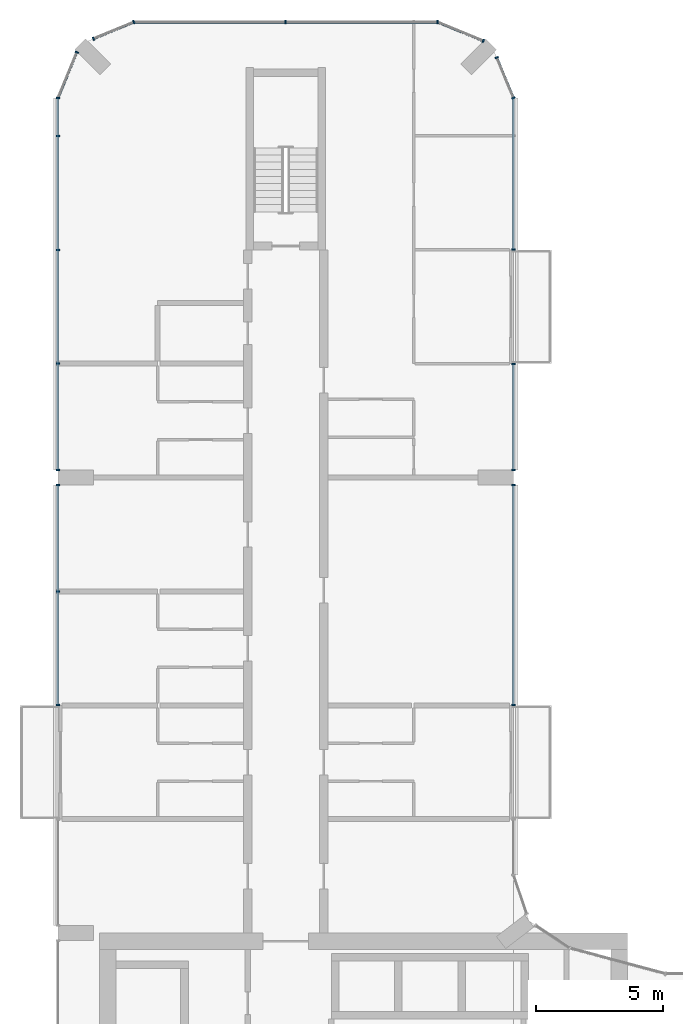
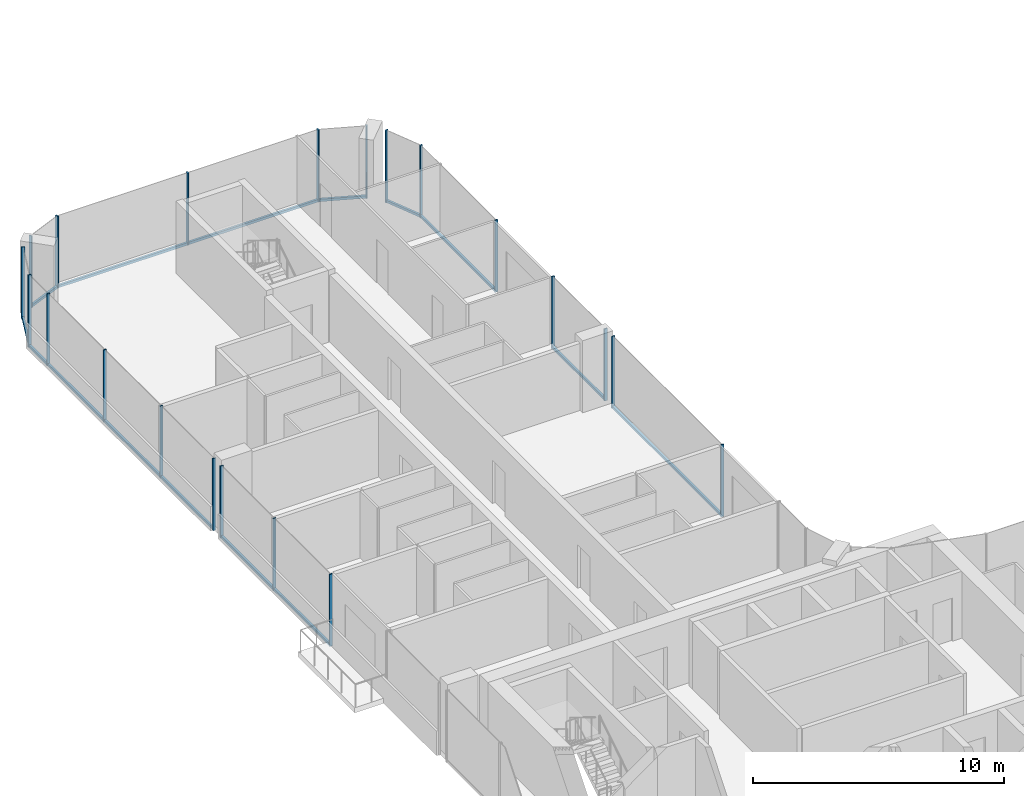
# One storey, part 6 of 22: 31 members, 10 elements without a shape of their own.
"""IFC4 building model written with IfcOpenShell, lengths in metres."""

from ifc_helpers import new_model, si_unit, direction, frame, origin, origin_2d, place, context, subcontext, project, spatial, rectangle, extrude, material, layer, layer_set, material_profile, profile_set, type_object, element, aggregate, save


model = new_model("IFC4")

# Units and contexts
model_context = context("Model", 3, precision=1e-05, world=origin(), true_north=direction((0.0, 1.0)))
body_context = subcontext(model_context, "Body", "Model", "MODEL_VIEW")
ifc_project = project(units=[si_unit("LENGTHUNIT", "METRE"), si_unit("AREAUNIT", "SQUARE_METRE"), si_unit("VOLUMEUNIT", "CUBIC_METRE"), si_unit("PLANEANGLEUNIT", "RADIAN"), si_unit("MASSUNIT", "GRAM", prefix="KILO")], contexts=[model_context])

# Site, building, storey
site_placement = place(None, origin())
site = spatial("IfcSite", under=ifc_project, at=site_placement, CompositionType="ELEMENT")
building_placement = place(site_placement, origin())
building = spatial("IfcBuilding", under=site, at=building_placement, Name="Plateau Cross Towers", CompositionType="ELEMENT")
storey_placement = place(building_placement, frame((0.0, 0.0, 99.300048828125)))
storey = spatial("IfcBuildingStorey", under=building, at=storey_placement, Name="L25", CompositionType="ELEMENT", Elevation=99.300048828125)

# Curtain wall, members
ifc_material_1 = material(Name="Dark low-iron glass", Category="glass")
ifc_layer = layer(ifc_material_1, 0.239990234375)
ifc_layer_set = layer_set([ifc_layer], Name="Dark low-iron glass")
curtain_wall_type = type_object("IfcCurtainWallType", Name="Curtain wall flush unitised CW-B", PredefinedType="NOTDEFINED", material=ifc_layer_set)
curtain_wall_1_placement = place(storey_placement, origin())
curtain_wall_1 = element("IfcCurtainWall", 1, at=curtain_wall_1_placement, inside=storey, type_object=curtain_wall_type, Name="ENV/A/L25/A180_270", PredefinedType="NOTDEFINED")
ifc_material_2 = material(Name="Black anodised aluminium", Category="aluminium")
ifc_material_profile_1 = material_profile(ifc_material_2, rectangle(XDim=0.06005859375, YDim=0.139892578125, at=origin_2d()), Name="MULLION 60x140")
ifc_profile_set_1 = profile_set([ifc_material_profile_1], Name="Black anodised aluminium")
member_type_1 = type_object("IfcMemberType", Name="Mullion 60x140 flush unitised", PredefinedType="MULLION", material=ifc_profile_set_1)
member_1_placement = place(storey_placement, frame((18.0, 27.010009765625, -0.25), z_axis=(0.0, 0.0, 1.0), x_axis=(0.0, 1.0, 0.0)))
member_1 = element("IfcMember", 2, at=member_1_placement, type_object=member_type_1, Name="CW-B mullion 1", PredefinedType="MULLION", context=body_context, shape_type="SweptSolid", body=[
    extrude(rectangle(XDim=0.06005859375, YDim=0.139892578125, at=origin_2d()), origin(), (0.0, 0.0, 1.0), 3.5),
])
member_2_placement = place(storey_placement, frame((18.0, 35.699951171875, -0.25), z_axis=(0.0, 0.0, 1.0), x_axis=(0.0, 1.0, 0.0)))
member_2 = element("IfcMember", 3, at=member_2_placement, type_object=member_type_1, Name="CW-B mullion 2", PredefinedType="MULLION", context=body_context, shape_type="SweptSolid", body=[
    extrude(rectangle(XDim=0.06005859375, YDim=0.139892578125, at=origin_2d()), origin(), (0.0, 0.0, 1.0), 3.5),
])

curtain_wall_2_placement = place(storey_placement, origin())
curtain_wall_2 = element("IfcCurtainWall", 4, at=curtain_wall_2_placement, inside=storey, type_object=curtain_wall_type, Name="ENV/A/L25/A180_363", PredefinedType="NOTDEFINED")
member_3_placement = place(storey_placement, frame((18.0, 36.300048828125, -0.25), z_axis=(0.0, 0.0, 1.0), x_axis=(0.0, 1.0, 0.0)))
member_3 = element("IfcMember", 5, at=member_3_placement, type_object=member_type_1, Name="CW-B mullion 1", PredefinedType="MULLION", context=body_context, shape_type="SweptSolid", body=[
    extrude(rectangle(XDim=0.06005859375, YDim=0.139892578125, at=origin_2d()), origin(), (0.0, 0.0, 1.0), 3.5),
])
member_4_placement = place(storey_placement, frame((18.0, 40.489990234375, -0.25), z_axis=(0.0, 0.0, 1.0), x_axis=(0.0, 1.0, 0.0)))
member_4 = element("IfcMember", 6, at=member_4_placement, type_object=member_type_1, Name="CW-B mullion 2", PredefinedType="MULLION", context=body_context, shape_type="SweptSolid", body=[
    extrude(rectangle(XDim=0.06005859375, YDim=0.139892578125, at=origin_2d()), origin(), (0.0, 0.0, 1.0), 3.5),
])

# Curtain wall, member
curtain_wall_3_placement = place(storey_placement, origin())
curtain_wall_3 = element("IfcCurtainWall", 7, at=curtain_wall_3_placement, inside=storey, type_object=curtain_wall_type, Name="ENV/A/L25/A180_450", PredefinedType="NOTDEFINED")
member_5_placement = place(storey_placement, frame((18.0, 45.010009765625, -0.25), z_axis=(0.0, 0.0, 1.0), x_axis=(0.0, 1.0, 0.0)))
member_5 = element("IfcMember", 8, at=member_5_placement, type_object=member_type_1, Name="CW-B mullion 1", PredefinedType="MULLION", context=body_context, shape_type="SweptSolid", body=[
    extrude(rectangle(XDim=0.06005859375, YDim=0.139892578125, at=origin_2d()), origin(), (0.0, 0.0, 1.0), 3.5),
])

# Curtain wall, members
curtain_wall_4_placement = place(storey_placement, origin())
curtain_wall_4 = element("IfcCurtainWall", 9, at=curtain_wall_4_placement, inside=storey, type_object=curtain_wall_type, Name="ENV/A/L25/A180_510", PredefinedType="NOTDEFINED")
member_6_placement = place(storey_placement, frame((18.0, 51.0, -0.25), z_axis=(0.0, 0.0, 1.0), x_axis=(-0.382683612978, 0.923879457699, 0.0)))
member_6 = element("IfcMember", 10, at=member_6_placement, type_object=member_type_1, Name="CW-B mullion 1", PredefinedType="MULLION", context=body_context, shape_type="SweptSolid", body=[
    extrude(rectangle(XDim=0.06005859375, YDim=0.139892578125, at=origin_2d()), origin(), (0.0, 0.0, 1.0), 3.5),
])
member_7_placement = place(storey_placement, frame((17.338623046875, 52.5966796875, -0.25), z_axis=(0.0, 0.0, 1.0), x_axis=(-0.382683612978, 0.923879457699, 0.0)))
member_7 = element("IfcMember", 11, at=member_7_placement, type_object=member_type_1, Name="CW-B mullion 2", PredefinedType="MULLION", context=body_context, shape_type="SweptSolid", body=[
    extrude(rectangle(XDim=0.06005859375, YDim=0.139892578125, at=origin_2d()), origin(), (0.0, 0.0, 1.0), 3.5),
])

# Curtain wall, member
curtain_wall_5_placement = place(storey_placement, origin())
curtain_wall_5 = element("IfcCurtainWall", 12, at=curtain_wall_5_placement, inside=storey, type_object=curtain_wall_type, Name="ENV/A/L25/A168_533", PredefinedType="NOTDEFINED")
member_8_placement = place(storey_placement, frame((16.805908203125, 53.251953125, -0.25), z_axis=(0.0, 0.0, 1.0), x_axis=(-0.923879457699, 0.382683612978, 0.0)))
member_8 = element("IfcMember", 13, at=member_8_placement, type_object=member_type_1, Name="CW-B mullion 1", PredefinedType="MULLION", context=body_context, shape_type="SweptSolid", body=[
    extrude(rectangle(XDim=0.06005859375, YDim=0.139892578125, at=origin_2d()), origin(), (0.0, 0.0, 1.0), 3.5),
])

# Curtain wall, members
curtain_wall_6_placement = place(storey_placement, origin())
curtain_wall_6 = element("IfcCurtainWall", 14, at=curtain_wall_6_placement, inside=storey, type_object=curtain_wall_type, Name="ENV/A/L25/A150_540", PredefinedType="NOTDEFINED")
member_9_placement = place(storey_placement, frame((15.0, 54.0, -0.25), z_axis=(0.0, 0.0, 1.0), x_axis=(-1.0, 0.0, 0.0)))
member_9 = element("IfcMember", 15, at=member_9_placement, type_object=member_type_1, Name="CW-B mullion 1", PredefinedType="MULLION", context=body_context, shape_type="SweptSolid", body=[
    extrude(rectangle(XDim=0.06005859375, YDim=0.139892578125, at=origin_2d()), origin(), (0.0, 0.0, 1.0), 3.5),
])
member_10_placement = place(storey_placement, frame((9.0, 54.0, -0.25), z_axis=(0.0, 0.0, 1.0), x_axis=(-1.0, 0.0, 0.0)))
member_10 = element("IfcMember", 16, at=member_10_placement, type_object=member_type_1, Name="CW-B mullion 2", PredefinedType="MULLION", context=body_context, shape_type="SweptSolid", body=[
    extrude(rectangle(XDim=0.06005859375, YDim=0.139892578125, at=origin_2d()), origin(), (0.0, 0.0, 1.0), 3.5),
])

curtain_wall_7_placement = place(storey_placement, origin())
curtain_wall_7 = element("IfcCurtainWall", 17, at=curtain_wall_7_placement, inside=storey, type_object=curtain_wall_type, Name="ENV/A/L25/A30_540", PredefinedType="NOTDEFINED")
member_11_placement = place(storey_placement, frame((3.0, 54.0, -0.25), z_axis=(0.0, 0.0, 1.0), x_axis=(-0.923879457699, -0.382683612978, 0.0)))
member_11 = element("IfcMember", 18, at=member_11_placement, type_object=member_type_1, Name="CW-B mullion 1", PredefinedType="MULLION", context=body_context, shape_type="SweptSolid", body=[
    extrude(rectangle(XDim=0.06005859375, YDim=0.139892578125, at=origin_2d()), origin(), (0.0, 0.0, 1.0), 3.5),
])
member_12_placement = place(storey_placement, frame((1.4033203125, 53.338623046875, -0.25), z_axis=(0.0, 0.0, 1.0), x_axis=(-0.923879457699, -0.382683612978, 0.0)))
member_12 = element("IfcMember", 19, at=member_12_placement, type_object=member_type_1, Name="CW-B mullion 2", PredefinedType="MULLION", context=body_context, shape_type="SweptSolid", body=[
    extrude(rectangle(XDim=0.06005859375, YDim=0.139892578125, at=origin_2d()), origin(), (0.0, 0.0, 1.0), 3.5),
])

# Curtain wall, member
curtain_wall_8_placement = place(storey_placement, origin())
curtain_wall_8 = element("IfcCurtainWall", 20, at=curtain_wall_8_placement, inside=storey, type_object=curtain_wall_type, Name="ENV/A/L25/A7_528", PredefinedType="NOTDEFINED")
member_13_placement = place(storey_placement, frame((0.748046875, 52.805908203125, -0.25), z_axis=(0.0, 0.0, 1.0), x_axis=(-0.382683612978, -0.923879457699, 0.0)))
member_13 = element("IfcMember", 21, at=member_13_placement, type_object=member_type_1, Name="CW-B mullion 1", PredefinedType="MULLION", context=body_context, shape_type="SweptSolid", body=[
    extrude(rectangle(XDim=0.06005859375, YDim=0.139892578125, at=origin_2d()), origin(), (0.0, 0.0, 1.0), 3.5),
])

# Curtain wall, members
curtain_wall_9_placement = place(storey_placement, origin())
curtain_wall_9 = element("IfcCurtainWall", 22, at=curtain_wall_9_placement, inside=storey, type_object=curtain_wall_type, Name="ENV/A/L25/A0_510", PredefinedType="NOTDEFINED")
member_14_placement = place(storey_placement, frame((0.0, 51.0, -0.25), z_axis=(0.0, 0.0, 1.0), x_axis=(0.0, -1.0, 0.0)))
member_14 = element("IfcMember", 23, at=member_14_placement, type_object=member_type_1, Name="CW-B mullion 1", PredefinedType="MULLION", context=body_context, shape_type="SweptSolid", body=[
    extrude(rectangle(XDim=0.06005859375, YDim=0.139892578125, at=origin_2d()), origin(), (0.0, 0.0, 1.0), 3.5),
])
member_15_placement = place(storey_placement, frame((0.0, 49.5, -0.25), z_axis=(0.0, 0.0, 1.0), x_axis=(0.0, -1.0, 0.0)))
member_15 = element("IfcMember", 24, at=member_15_placement, type_object=member_type_1, Name="CW-B mullion 2", PredefinedType="MULLION", context=body_context, shape_type="SweptSolid", body=[
    extrude(rectangle(XDim=0.06005859375, YDim=0.139892578125, at=origin_2d()), origin(), (0.0, 0.0, 1.0), 3.5),
])
member_16_placement = place(storey_placement, frame((0.0, 45.0, -0.25), z_axis=(0.0, 0.0, 1.0), x_axis=(0.0, -1.0, 0.0)))
member_16 = element("IfcMember", 25, at=member_16_placement, type_object=member_type_1, Name="CW-B mullion 3", PredefinedType="MULLION", context=body_context, shape_type="SweptSolid", body=[
    extrude(rectangle(XDim=0.06005859375, YDim=0.139892578125, at=origin_2d()), origin(), (0.0, 0.0, 1.0), 3.5),
])
member_17_placement = place(storey_placement, frame((0.0, 40.5, -0.25), z_axis=(0.0, 0.0, 1.0), x_axis=(0.0, -1.0, 0.0)))
member_17 = element("IfcMember", 26, at=member_17_placement, type_object=member_type_1, Name="CW-B mullion 4", PredefinedType="MULLION", context=body_context, shape_type="SweptSolid", body=[
    extrude(rectangle(XDim=0.06005859375, YDim=0.139892578125, at=origin_2d()), origin(), (0.0, 0.0, 1.0), 3.5),
])
member_18_placement = place(storey_placement, frame((0.0, 36.300048828125, -0.25), z_axis=(0.0, 0.0, 1.0), x_axis=(0.0, -1.0, 0.0)))
member_18 = element("IfcMember", 27, at=member_18_placement, type_object=member_type_1, Name="CW-B mullion 5", PredefinedType="MULLION", context=body_context, shape_type="SweptSolid", body=[
    extrude(rectangle(XDim=0.06005859375, YDim=0.139892578125, at=origin_2d()), origin(), (0.0, 0.0, 1.0), 3.5),
])

curtain_wall_10_placement = place(storey_placement, origin())
curtain_wall_10 = element("IfcCurtainWall", 28, at=curtain_wall_10_placement, inside=storey, type_object=curtain_wall_type, Name="ENV/A/L25/A0_357", PredefinedType="NOTDEFINED")
member_19_placement = place(storey_placement, frame((0.0, 35.699951171875, -0.25), z_axis=(0.0, 0.0, 1.0), x_axis=(0.0, -1.0, 0.0)))
member_19 = element("IfcMember", 29, at=member_19_placement, type_object=member_type_1, Name="CW-B mullion 1", PredefinedType="MULLION", context=body_context, shape_type="SweptSolid", body=[
    extrude(rectangle(XDim=0.06005859375, YDim=0.139892578125, at=origin_2d()), origin(), (0.0, 0.0, 1.0), 3.5),
])
member_20_placement = place(storey_placement, frame((0.0, 31.5, -0.25), z_axis=(0.0, 0.0, 1.0), x_axis=(0.0, -1.0, 0.0)))
member_20 = element("IfcMember", 30, at=member_20_placement, type_object=member_type_1, Name="CW-B mullion 2", PredefinedType="MULLION", context=body_context, shape_type="SweptSolid", body=[
    extrude(rectangle(XDim=0.06005859375, YDim=0.139892578125, at=origin_2d()), origin(), (0.0, 0.0, 1.0), 3.5),
])
member_21_placement = place(storey_placement, frame((0.0, 27.010009765625, -0.25), z_axis=(0.0, 0.0, 1.0), x_axis=(0.0, -1.0, 0.0)))
member_21 = element("IfcMember", 31, at=member_21_placement, type_object=member_type_1, Name="CW-B mullion 3", PredefinedType="MULLION", context=body_context, shape_type="SweptSolid", body=[
    extrude(rectangle(XDim=0.06005859375, YDim=0.139892578125, at=origin_2d()), origin(), (0.0, 0.0, 1.0), 3.5),
])

# Member
ifc_material_profile_2 = material_profile(ifc_material_2, rectangle(XDim=0.10009765625, YDim=0.1201171875, at=origin_2d()), Name="TRANSOM 100x120")
ifc_profile_set_2 = profile_set([ifc_material_profile_2], Name="Black anodised aluminium")
member_type_2 = type_object("IfcMemberType", Name="Transom 100x120 flush unitised", PredefinedType="USERDEFINED", material=ifc_profile_set_2)
member_22_placement = place(storey_placement, frame((18.0, 27.010009765625, -0.18994140625), z_axis=(0.0, 1.0, 0.0), x_axis=(-1.0, 0.0, 0.0)))
member_22 = element("IfcMember", 32, at=member_22_placement, type_object=member_type_2, Name="CW-B transom", ObjectType="TRANSOM", PredefinedType="USERDEFINED", context=body_context, shape_type="SweptSolid", body=[
    extrude(rectangle(XDim=0.10009765625, YDim=0.1201171875, at=origin_2d()), origin(), (0.0, 0.0, 1.0), 8.68994140625),
])

aggregate(curtain_wall_1, [member_1, member_2, member_22])

member_23_placement = place(storey_placement, frame((18.0, 36.300048828125, -0.18994140625), z_axis=(0.0, 1.0, 0.0), x_axis=(-1.0, 0.0, 0.0)))
member_23 = element("IfcMember", 33, at=member_23_placement, type_object=member_type_2, Name="CW-B transom", ObjectType="TRANSOM", PredefinedType="USERDEFINED", context=body_context, shape_type="SweptSolid", body=[
    extrude(rectangle(XDim=0.10009765625, YDim=0.1201171875, at=origin_2d()), origin(), (0.0, 0.0, 1.0), 4.18994140625),
])

aggregate(curtain_wall_2, [member_3, member_4, member_23])

member_24_placement = place(storey_placement, frame((18.0, 45.010009765625, -0.18994140625), z_axis=(0.0, 1.0, 0.0), x_axis=(-1.0, 0.0, 0.0)))
member_24 = element("IfcMember", 34, at=member_24_placement, type_object=member_type_2, Name="CW-B transom", ObjectType="TRANSOM", PredefinedType="USERDEFINED", context=body_context, shape_type="SweptSolid", body=[
    extrude(rectangle(XDim=0.10009765625, YDim=0.1201171875, at=origin_2d()), origin(), (0.0, 0.0, 1.0), 5.989990234375),
])

aggregate(curtain_wall_3, [member_5, member_24])

member_25_placement = place(storey_placement, frame((18.0, 51.0, -0.18994140625), z_axis=(-0.382688653628, 0.923877369776, 0.0), x_axis=(-0.923877369776, -0.382688653628, 0.0)))
member_25 = element("IfcMember", 35, at=member_25_placement, type_object=member_type_2, Name="CW-B transom", ObjectType="TRANSOM", PredefinedType="USERDEFINED", context=body_context, shape_type="SweptSolid", body=[
    extrude(rectangle(XDim=0.10009765625, YDim=0.1201171875, at=origin_2d()), origin(), (0.0, 0.0, 1.0), 1.728271484375),
])

aggregate(curtain_wall_4, [member_6, member_7, member_25])

member_26_placement = place(storey_placement, frame((16.805908203125, 53.251953125, -0.18994140625), z_axis=(-0.92387678234, 0.382690071798, 0.0), x_axis=(-0.382690071798, -0.92387678234, 0.0)))
member_26 = element("IfcMember", 36, at=member_26_placement, type_object=member_type_2, Name="CW-B transom", ObjectType="TRANSOM", PredefinedType="USERDEFINED", context=body_context, shape_type="SweptSolid", body=[
    extrude(rectangle(XDim=0.10009765625, YDim=0.1201171875, at=origin_2d()), origin(), (0.0, 0.0, 1.0), 1.95458984375),
])

aggregate(curtain_wall_5, [member_8, member_26])

member_27_placement = place(storey_placement, frame((15.0, 54.0, -0.18994140625), z_axis=(-1.0, 0.0, 0.0), x_axis=(0.0, -1.0, 0.0)))
member_27 = element("IfcMember", 37, at=member_27_placement, type_object=member_type_2, Name="CW-B transom", ObjectType="TRANSOM", PredefinedType="USERDEFINED", context=body_context, shape_type="SweptSolid", body=[
    extrude(rectangle(XDim=0.10009765625, YDim=0.1201171875, at=origin_2d()), origin(), (0.0, 0.0, 1.0), 12.0),
])

aggregate(curtain_wall_6, [member_9, member_10, member_27])

member_28_placement = place(storey_placement, frame((3.0, 54.0, -0.18994140625), z_axis=(-0.923877369776, -0.382688653628, 0.0), x_axis=(0.382688653628, -0.923877369776, 0.0)))
member_28 = element("IfcMember", 38, at=member_28_placement, type_object=member_type_2, Name="CW-B transom", ObjectType="TRANSOM", PredefinedType="USERDEFINED", context=body_context, shape_type="SweptSolid", body=[
    extrude(rectangle(XDim=0.10009765625, YDim=0.1201171875, at=origin_2d()), origin(), (0.0, 0.0, 1.0), 1.728271484375),
])

aggregate(curtain_wall_7, [member_11, member_12, member_28])

member_29_placement = place(storey_placement, frame((0.748046875, 52.805908203125, -0.18994140625), z_axis=(-0.382690071798, -0.92387678234, 0.0), x_axis=(0.92387678234, -0.382690071798, 0.0)))
member_29 = element("IfcMember", 39, at=member_29_placement, type_object=member_type_2, Name="CW-B transom", ObjectType="TRANSOM", PredefinedType="USERDEFINED", context=body_context, shape_type="SweptSolid", body=[
    extrude(rectangle(XDim=0.10009765625, YDim=0.1201171875, at=origin_2d()), origin(), (0.0, 0.0, 1.0), 1.95458984375),
])

aggregate(curtain_wall_8, [member_13, member_29])

member_30_placement = place(storey_placement, frame((0.0, 51.0, -0.18994140625), z_axis=(0.0, -1.0, 0.0), x_axis=(1.0, 0.0, 0.0)))
member_30 = element("IfcMember", 40, at=member_30_placement, type_object=member_type_2, Name="CW-B transom", ObjectType="TRANSOM", PredefinedType="USERDEFINED", context=body_context, shape_type="SweptSolid", body=[
    extrude(rectangle(XDim=0.10009765625, YDim=0.1201171875, at=origin_2d()), origin(), (0.0, 0.0, 1.0), 14.699951171875),
])

aggregate(curtain_wall_9, [member_14, member_15, member_16, member_17, member_18, member_30])

member_31_placement = place(storey_placement, frame((0.0, 35.699951171875, -0.18994140625), z_axis=(0.0, -1.0, 0.0), x_axis=(1.0, 0.0, 0.0)))
member_31 = element("IfcMember", 41, at=member_31_placement, type_object=member_type_2, Name="CW-B transom", ObjectType="TRANSOM", PredefinedType="USERDEFINED", context=body_context, shape_type="SweptSolid", body=[
    extrude(rectangle(XDim=0.10009765625, YDim=0.1201171875, at=origin_2d()), origin(), (0.0, 0.0, 1.0), 8.68994140625),
])

aggregate(curtain_wall_10, [member_19, member_20, member_21, member_31])

save(model, "model.ifc")
